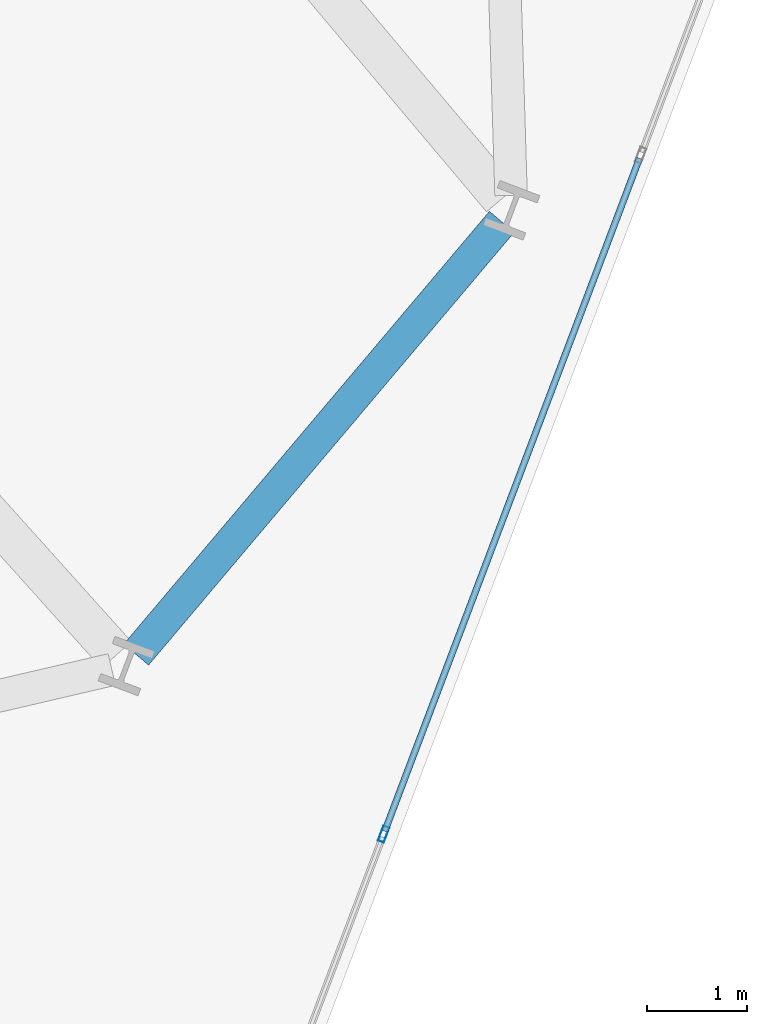
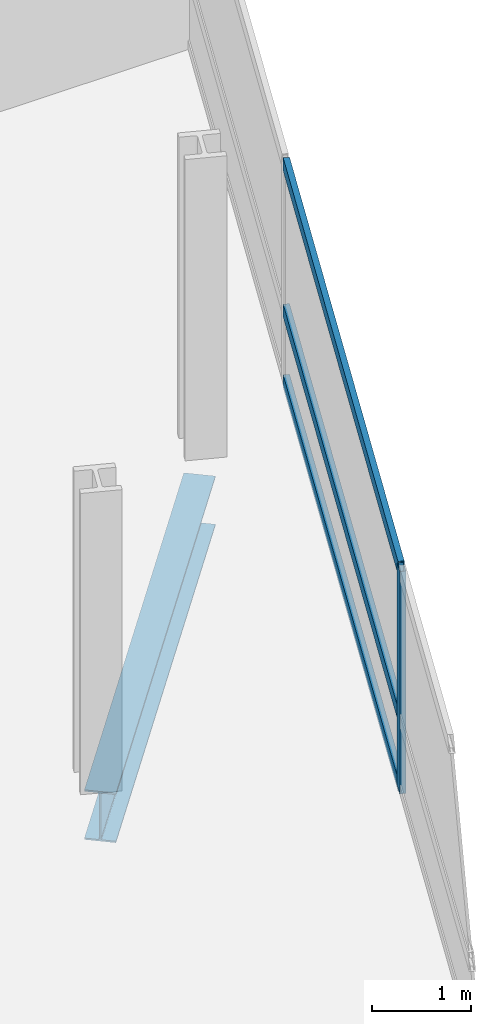
# One storey, part 11 of 25: 4 members, 1 beam, 1 element without a shape of its own.
"""IFC4 building model written with IfcOpenShell, lengths in metres."""

from ifc_helpers import new_model, si_unit, direction, frame, origin, origin_2d, place, context, subcontext, project, spatial, hollow_rectangle, i_section, extrude, material, layer, layer_set, material_profile, profile_set, type_object, element, aggregate, save


model = new_model("IFC4")

# Units and contexts
model_context = context("Model", 3, precision=1e-05, world=origin(), true_north=direction((0.0, 1.0)))
body_context = subcontext(model_context, "Body", "Model", "MODEL_VIEW")
ifc_project = project(units=[si_unit("LENGTHUNIT", "METRE"), si_unit("AREAUNIT", "SQUARE_METRE"), si_unit("VOLUMEUNIT", "CUBIC_METRE"), si_unit("PLANEANGLEUNIT", "RADIAN"), si_unit("MASSUNIT", "GRAM", prefix="KILO")], contexts=[model_context])

# Site, building, storey
site_placement = place(None, origin())
site = spatial("IfcSite", under=ifc_project, at=site_placement, CompositionType="ELEMENT")
building_placement = place(site_placement, origin())
building = spatial("IfcBuilding", under=site, at=building_placement, Name="Varnelok Gate Tower", CompositionType="ELEMENT")
storey_placement = place(building_placement, frame((0.0, 0.0, 91.0)))
storey = spatial("IfcBuildingStorey", under=building, at=storey_placement, Name="L22", CompositionType="ELEMENT", Elevation=91.0)

# Beam
ifc_material_1 = material(Name="Structural Steel ASTM A992 Grade 50", Category="steel")
ifc_material_profile_1 = material_profile(ifc_material_1, i_section(OverallWidth=0.323974609375, OverallDepth=0.611083984375, WebThickness=0.0126953125, FlangeThickness=0.01904296875, FilletRadius=0.01806640625, at=origin_2d()), Name="W24X104")
ifc_profile_set_1 = profile_set([ifc_material_profile_1], Name="Structural Steel ASTM A992 Grade 50")
beam_type = type_object("IfcBeamType", Name="BM-SPN-W24X104", PredefinedType="SPANDREL", material=ifc_profile_set_1)
beam_placement = place(storey_placement, frame((67.7333984375, 3.7421875, -0.555419921875), z_axis=(0.645380340265, 0.763861385592, 0.0), x_axis=(-0.763861385592, 0.645380340265, 0.0)))
element("IfcBeam", 1, at=beam_placement, inside=storey, type_object=beam_type, Name="L22 Perimeter Spandrel Beam 6", PredefinedType="SPANDREL", context=body_context, shape_type="SweptSolid", body=[
    extrude(i_section(OverallWidth=0.323974609375, OverallDepth=0.611083984375, WebThickness=0.0126953125, FlangeThickness=0.01904296875, FilletRadius=0.01806640625, at=origin_2d()), origin(), (0.0, 0.0, 1.0), 5.650146484375),
])

# Curtain wall, members
ifc_material_2 = material(Name="Anodized Aluminum Alloy 6063-T6", Category="aluminium")
ifc_layer = layer(ifc_material_2, 0.179931640625)
ifc_layer_set = layer_set([ifc_layer], Name="Anodized Aluminum Alloy 6063-T6")
curtain_wall_type = type_object("IfcCurtainWallType", Name="CW3-HOTEL-VISION", PredefinedType="USERDEFINED", material=ifc_layer_set)
curtain_wall_placement = place(storey_placement, origin())
curtain_wall = element("IfcCurtainWall", 2, at=curtain_wall_placement, inside=storey, type_object=curtain_wall_type, Name="L22 East End Vision Curtain Wall", ObjectType="UNITISED CURTAIN WALL", PredefinedType="USERDEFINED")
ifc_material_profile_2 = material_profile(ifc_material_2, hollow_rectangle(XDim=0.06494140625, YDim=0.159912109375, WallThickness=0.00390625, at=origin_2d()), Name="ALU160X65X4")
ifc_profile_set_2 = profile_set([ifc_material_profile_2], Name="Anodized Aluminum Alloy 6063-T6")
member_type_1 = type_object("IfcMemberType", Name="CW-MULL-160", PredefinedType="MULLION", material=ifc_profile_set_2)
member_1_placement = place(storey_placement, frame((70.201171875, 1.951171875, 0.0), z_axis=(0.0, 0.0, 1.0), x_axis=(0.935221323688, -0.354063660545, 0.0)))
member_1 = element("IfcMember", 3, at=member_1_placement, type_object=member_type_1, Name="CW3 mullion 5", PredefinedType="MULLION", context=body_context, shape_type="SweptSolid", body=[
    extrude(hollow_rectangle(XDim=0.06494140625, YDim=0.159912109375, WallThickness=0.00390625, at=origin_2d()), origin(), (0.0, 0.0, 1.0), 2.72998046875),
])
ifc_material_profile_3 = material_profile(ifc_material_2, hollow_rectangle(XDim=0.06494140625, YDim=0.159912109375, WallThickness=0.00390625, at=origin_2d()), Name="ALU160X65X4")
ifc_profile_set_3 = profile_set([ifc_material_profile_3], Name="Anodized Aluminum Alloy 6063-T6")
member_type_2 = type_object("IfcMemberType", Name="CW-TRAN-160", PredefinedType="USERDEFINED", material=ifc_profile_set_3)
member_2_placement = place(storey_placement, frame((72.753173828125, 8.691650390625, 0.032470703125), z_axis=(-0.354078724634, -0.935215620465, 0.0), x_axis=(0.935215620465, -0.354078724634, 0.0)))
member_2 = element("IfcMember", 4, at=member_2_placement, type_object=member_type_2, Name="CW3 transom 4.1", ObjectType="TRANSOM", PredefinedType="USERDEFINED", context=body_context, shape_type="SweptSolid", body=[
    extrude(hollow_rectangle(XDim=0.06494140625, YDim=0.159912109375, WallThickness=0.00390625, at=origin_2d()), origin(), (0.0, 0.0, 1.0), 7.175048828125),
])
member_3_placement = place(storey_placement, frame((72.753173828125, 8.691650390625, 0.89990234375), z_axis=(-0.354078724634, -0.935215620465, 0.0), x_axis=(0.935215620465, -0.354078724634, 0.0)))
member_3 = element("IfcMember", 5, at=member_3_placement, type_object=member_type_2, Name="CW3 transom 4.2", ObjectType="TRANSOM", PredefinedType="USERDEFINED", context=body_context, shape_type="SweptSolid", body=[
    extrude(hollow_rectangle(XDim=0.06494140625, YDim=0.159912109375, WallThickness=0.00390625, at=origin_2d()), origin(), (0.0, 0.0, 1.0), 7.175048828125),
])
member_4_placement = place(storey_placement, frame((72.753173828125, 8.691650390625, 2.697509765625), z_axis=(-0.354078724634, -0.935215620465, 0.0), x_axis=(0.935215620465, -0.354078724634, 0.0)))
member_4 = element("IfcMember", 6, at=member_4_placement, type_object=member_type_2, Name="CW3 transom 4.3", ObjectType="TRANSOM", PredefinedType="USERDEFINED", context=body_context, shape_type="SweptSolid", body=[
    extrude(hollow_rectangle(XDim=0.06494140625, YDim=0.159912109375, WallThickness=0.00390625, at=origin_2d()), origin(), (0.0, 0.0, 1.0), 7.175048828125),
])
aggregate(curtain_wall, [member_1, member_2, member_3, member_4])

save(model, "model.ifc")
